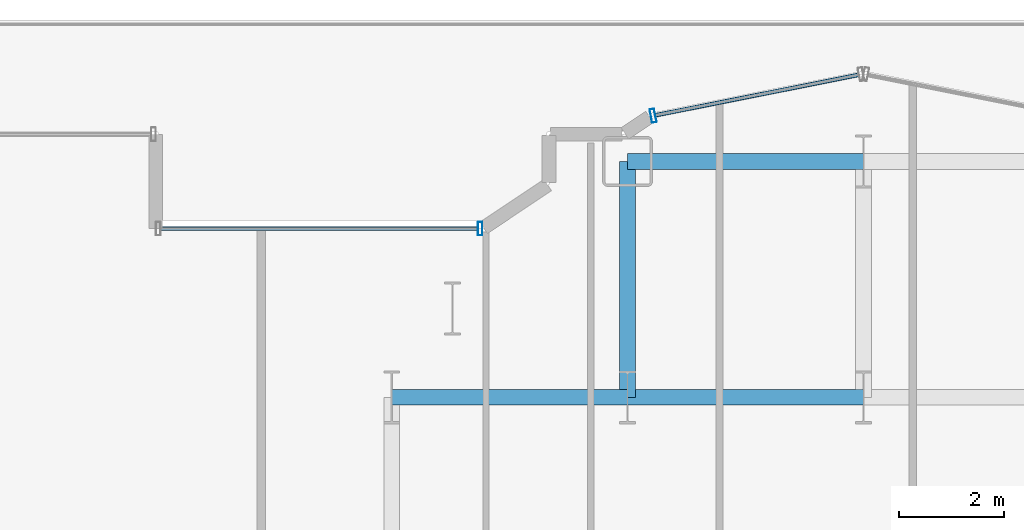
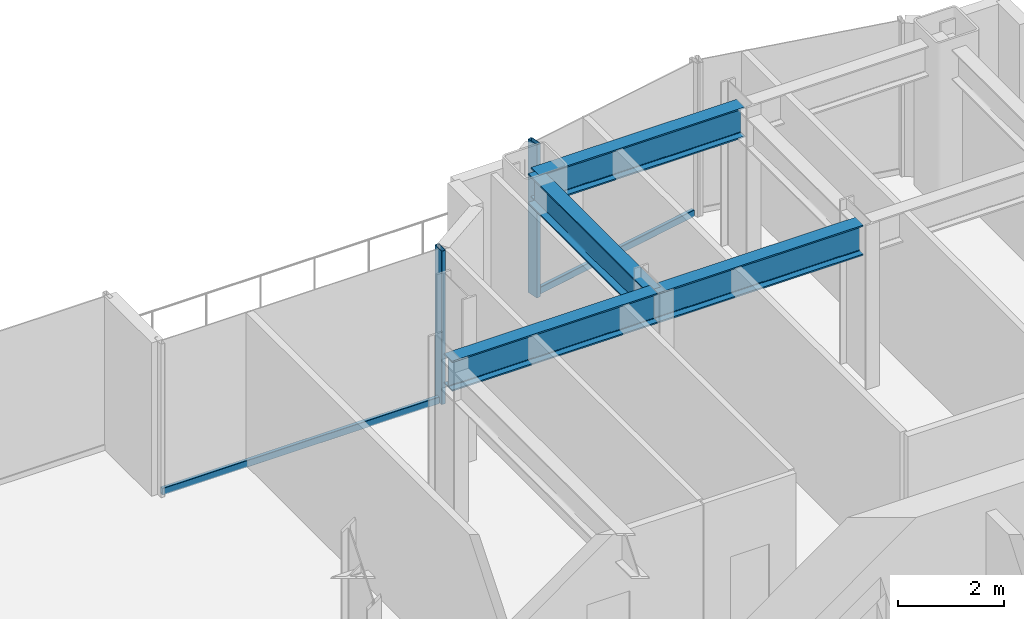
# One storey, part 13 of 30: 4 beams, 4 members, 2 elements without a shape of their own.
"""IFC4 building model written with IfcOpenShell, lengths in metres."""

from ifc_helpers import new_model, si_unit, direction, frame, origin, origin_2d, place, context, subcontext, project, spatial, hollow_rectangle, i_section, extrude, source, transform, mapped, material, layer, layer_set, material_profile, profile_set, type_object, element, aggregate, save


model = new_model("IFC4")

# Units and contexts
model_context = context("Model", 3, precision=1e-05, world=origin(), true_north=direction((0.0, 1.0)))
body_context = subcontext(model_context, "Body", "Model", "MODEL_VIEW")
ifc_project = project(units=[si_unit("LENGTHUNIT", "METRE"), si_unit("AREAUNIT", "SQUARE_METRE"), si_unit("VOLUMEUNIT", "CUBIC_METRE"), si_unit("PLANEANGLEUNIT", "RADIAN"), si_unit("MASSUNIT", "GRAM", prefix="KILO")], contexts=[model_context])

# Site, building, storey
site_placement = place(None, origin())
site = spatial("IfcSite", under=ifc_project, at=site_placement, CompositionType="ELEMENT")
building_placement = place(site_placement, origin())
building = spatial("IfcBuilding", under=site, at=building_placement, Name="Nefas-Gora Pilgrimage Tower", CompositionType="ELEMENT")
storey_placement = place(building_placement, frame((0.0, 0.0, 33.0)))
storey = spatial("IfcBuildingStorey", under=building, at=storey_placement, Name="L06", CompositionType="ELEMENT", Elevation=33.0)

# Beams
ifc_material_1 = material(Name="Steel S355", Category="steel")
ifc_material_profile_1 = material_profile(ifc_material_1, i_section(OverallWidth=0.300048828125, OverallDepth=0.699951171875, WebThickness=0.01708984375, FlangeThickness=0.031982421875, FilletRadius=0.027099609375, at=origin_2d()), Name="HEB 700")
ifc_profile_set_1 = profile_set([ifc_material_profile_1], Name="Steel S355")
beam_type = type_object("IfcBeamType", Name="BM-GIR-HEB700", PredefinedType="BEAM", material=ifc_profile_set_1)
shared_shape_1 = source(origin(), body_context, "Body", "SweptSolid", [
    extrude(i_section(OverallWidth=0.300048828125, OverallDepth=0.699951171875, WebThickness=0.01708984375, FlangeThickness=0.031982421875, FilletRadius=0.027099609375, at=origin_2d()), origin(), (0.0, 0.0, 1.0), 4.5),
])
for number, where, z_axis, x_axis, name in (
    (1, (-11.25, 18.0, 3.199951171875), (1.0, 0.0, 0.0), (0.0, 1.0, 0.0), "L06 G-02 beam"),
    (2, (-6.75, 18.0, 3.199951171875), (0.0, 1.0, 0.0), (-1.0, 0.0, 0.0), "L06 G-02 beam"),
    (3, (-6.75, 18.0, 3.199951171875), (1.0, 0.0, 0.0), (0.0, 1.0, 0.0), "L06 G-02 beam"),
    (4, (-6.75, 22.5, 3.199951171875), (1.0, 0.0, 0.0), (0.0, 1.0, 0.0), "L06 G-02 beam"),
):
    element("IfcBeam", number, at=place(storey_placement, frame(where, z_axis=z_axis, x_axis=x_axis)), inside=storey, type_object=beam_type, Name=name, PredefinedType="BEAM", context=body_context, shape_type="MappedRepresentation", body=[
        mapped(shared_shape_1, transform((0.0, 0.0, 0.0), x_axis=(1.0, 0.0, 0.0), y_axis=(0.0, 1.0, 0.0), z_axis=(0.0, 0.0, 1.0), scale=1.0)),
    ])

# Curtain wall, member
ifc_material_2 = material(Name="Dark ceramic-fritted solar-control aluminium-glass curtain wall", Category="aluminium")
ifc_layer = layer(ifc_material_2, 0.219970703125)
ifc_layer_set = layer_set([ifc_layer], Name="Dark ceramic-fritted solar-control aluminium-glass curtain wall")
curtain_wall_type = type_object("IfcCurtainWallType", Name="CW-SYS-5", PredefinedType="NOTDEFINED", material=ifc_layer_set)
curtain_wall_1_placement = place(storey_placement, origin())
curtain_wall_1 = element("IfcCurtainWall", 5, at=curtain_wall_1_placement, inside=storey, type_object=curtain_wall_type, Name="L06 Unitised Curtain Wall CW5", PredefinedType="NOTDEFINED")
ifc_material_3 = material(Name="Anodised architectural aluminium", Category="aluminium")
ifc_material_profile_2 = material_profile(ifc_material_3, hollow_rectangle(XDim=0.090087890625, YDim=0.260009765625, WallThickness=0.006103515625, InnerFilletRadius=0.006103515625, OuterFilletRadius=0.011962890625, at=origin_2d()), Name="ALU MULLION 90x260")
ifc_profile_set_2 = profile_set([ifc_material_profile_2], Name="Anodised architectural aluminium")
member_type_1 = type_object("IfcMemberType", Name="CWM-MUL-5", PredefinedType="MULLION", material=ifc_profile_set_2)
shared_shape_2 = source(origin(), body_context, "Body", "SweptSolid", [
    extrude(hollow_rectangle(XDim=0.090087890625, YDim=0.260009765625, WallThickness=0.006103515625, InnerFilletRadius=0.006103515625, OuterFilletRadius=0.011962890625, at=origin_2d()), origin(), (0.0, 0.0, 1.0), 3.550048828125),
])
member_1_placement = place(storey_placement, frame((-6.26318359375, 23.3740234375, 0.0), z_axis=(0.0, 0.0, 1.0), x_axis=(-0.980782896852, -0.195102304554, 0.0)))
member_1 = element("IfcMember", 6, at=member_1_placement, type_object=member_type_1, Name="CW5 Mullion 2", PredefinedType="MULLION", context=body_context, shape_type="MappedRepresentation", body=[
    mapped(shared_shape_2, transform((0.0, 0.0, 0.0), x_axis=(1.0, 0.0, 0.0), y_axis=(0.0, 1.0, 0.0), z_axis=(0.0, 0.0, 1.0), scale=1.0)),
])

# Curtain wall, members
curtain_wall_2_placement = place(storey_placement, origin())
curtain_wall_2 = element("IfcCurtainWall", 7, at=curtain_wall_2_placement, inside=storey, type_object=curtain_wall_type, Name="L06 Unitised Curtain Wall CW5", PredefinedType="NOTDEFINED")
member_2_placement = place(storey_placement, frame((-9.56298828125, 21.219970703125, 0.0), z_axis=(0.0, 0.0, 1.0), x_axis=(-1.0, 0.0, 0.0)))
member_2 = element("IfcMember", 8, at=member_2_placement, type_object=member_type_1, Name="CW5 Mullion 1", PredefinedType="MULLION", context=body_context, shape_type="MappedRepresentation", body=[
    mapped(shared_shape_2, transform((0.0, 0.0, 0.0), x_axis=(1.0, 0.0, 0.0), y_axis=(0.0, 1.0, 0.0), z_axis=(0.0, 0.0, 1.0), scale=1.0)),
])
ifc_material_profile_3 = material_profile(ifc_material_3, hollow_rectangle(XDim=0.080078125, YDim=0.159912109375, WallThickness=0.00439453125, InnerFilletRadius=0.00439453125, OuterFilletRadius=0.009033203125, at=origin_2d()), Name="ALU TRANSOM 80x160")
ifc_profile_set_3 = profile_set([ifc_material_profile_3], Name="Anodised architectural aluminium")
member_type_2 = type_object("IfcMemberType", Name="CWM-TRN-5", PredefinedType="USERDEFINED", material=ifc_profile_set_3)
shared_shape_3 = source(origin(), body_context, "Body", "SweptSolid", [
    extrude(hollow_rectangle(XDim=0.080078125, YDim=0.159912109375, WallThickness=0.00439453125, InnerFilletRadius=0.00439453125, OuterFilletRadius=0.009033203125, at=origin_2d()), origin(), (0.0, 0.0, 1.0), 6.052001953125),
])
member_3_placement = place(storey_placement, frame((-9.60791015625, 21.219970703125, 0.050048828125), z_axis=(-1.0, 0.0, 0.0), x_axis=(0.0, -1.0, 0.0)))
member_3 = element("IfcMember", 9, at=member_3_placement, type_object=member_type_2, Name="CW5 Spandrel Transom", ObjectType="TRANSOM", PredefinedType="USERDEFINED", context=body_context, shape_type="MappedRepresentation", body=[
    mapped(shared_shape_3, transform((0.0, 0.0, 0.0), x_axis=(1.0, 0.0, 0.0), y_axis=(0.0, 1.0, 0.0), z_axis=(0.0, 0.0, 1.0), scale=1.0)),
])
aggregate(curtain_wall_2, [member_2, member_3])

# Member
shared_shape_4 = source(origin(), body_context, "Body", "SweptSolid", [
    extrude(hollow_rectangle(XDim=0.080078125, YDim=0.159912109375, WallThickness=0.00439453125, InnerFilletRadius=0.00439453125, OuterFilletRadius=0.009033203125, at=origin_2d()), origin(), (0.0, 0.0, 1.0), 3.95654296875),
])
member_4_placement = place(storey_placement, frame((-2.33837890625, 24.15478515625, 0.050048828125), z_axis=(-0.980781880918, -0.195107411605, 0.0), x_axis=(0.195107411605, -0.980781880918, 0.0)))
member_4 = element("IfcMember", 10, at=member_4_placement, type_object=member_type_2, Name="CW5 Spandrel Transom", ObjectType="TRANSOM", PredefinedType="USERDEFINED", context=body_context, shape_type="MappedRepresentation", body=[
    mapped(shared_shape_4, transform((0.0, 0.0, 0.0), x_axis=(1.0, 0.0, 0.0), y_axis=(0.0, 1.0, 0.0), z_axis=(0.0, 0.0, 1.0), scale=1.0)),
])

aggregate(curtain_wall_1, [member_1, member_4])

save(model, "model.ifc")
